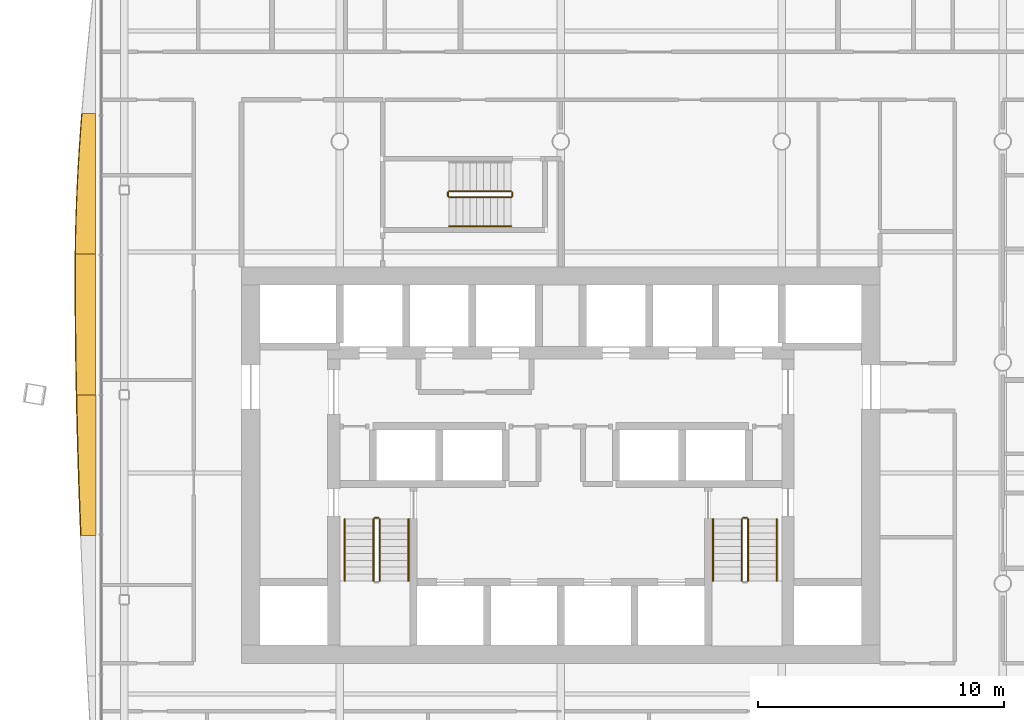
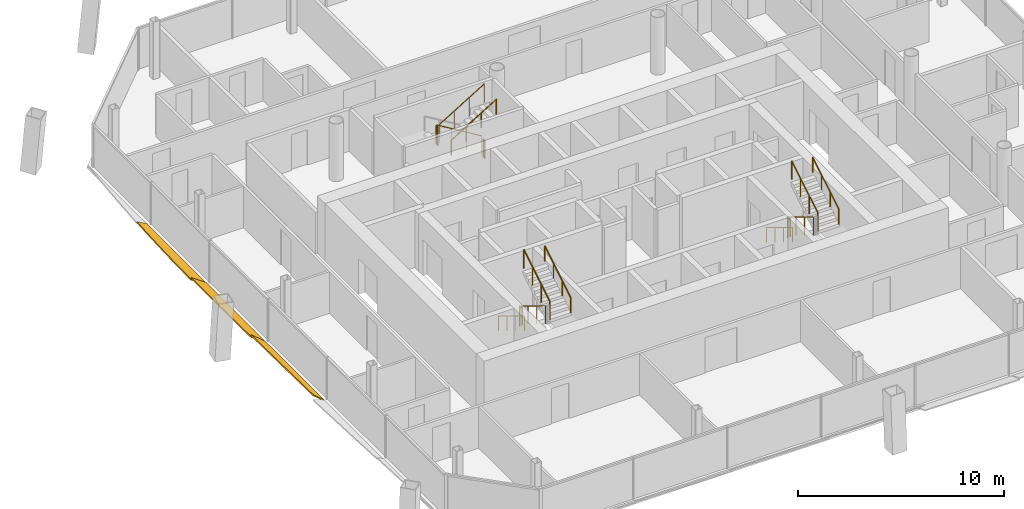
# One storey, part 16 of 17: 15 railings, 3 shading devices.
"""IFC4 building model written with IfcOpenShell, lengths in metres."""

from ifc_helpers import new_model, si_unit, direction, frame, origin, origin_2d, place, context, subcontext, project, spatial, polyline, circle, outline, extrude, material, layer, layer_set, type_object, element, save


model = new_model("IFC4")

# Units and contexts
model_context = context("Model", 3, precision=1e-05, world=origin(), true_north=direction((0.0, 1.0)))
body_context = subcontext(model_context, "Body", "Model", "MODEL_VIEW")
ifc_project = project(units=[si_unit("LENGTHUNIT", "METRE"), si_unit("AREAUNIT", "SQUARE_METRE"), si_unit("VOLUMEUNIT", "CUBIC_METRE"), si_unit("PLANEANGLEUNIT", "RADIAN"), si_unit("MASSUNIT", "GRAM", prefix="KILO")], contexts=[model_context])

# Site, building, storey
site_placement = place(None, origin())
site = spatial("IfcSite", under=ifc_project, at=site_placement, CompositionType="ELEMENT")
building_placement = place(site_placement, origin())
building = spatial("IfcBuilding", under=site, at=building_placement, Name="Tskaro Facet Tower", CompositionType="ELEMENT")
storey_placement = place(building_placement, frame((0.0, 0.0, 158.89990234375)))
storey = spatial("IfcBuildingStorey", under=building, at=storey_placement, Name="L39", CompositionType="ELEMENT", Elevation=158.89990234375)

# Shading devices
ifc_material_1 = material(Name="Bronze anodised aluminium 6063-T6", Category="aluminium")
ifc_layer = layer(ifc_material_1, 0.06005859375, Name="Bronze anodised aluminium 6063-T6")
ifc_layer_set = layer_set([ifc_layer], Name="Bronze anodised aluminium 6063-T6")
shading_device_type = type_object("IfcShadingDeviceType", Name="Bronze sun blade (FN1)", PredefinedType="USERDEFINED", material=ifc_layer_set)
shading_device_1_placement = place(storey_placement, frame((-18.944091796875, 10.13818359375, 0.052001953125), z_axis=(0.500122626066, -5.0054e-08, 0.865954594016), x_axis=(-2.5033e-08, -1.0, -4.3345e-08)))
element("IfcShadingDevice", 1, at=shading_device_1_placement, inside=storey, type_object=shading_device_type, Name="Fin blade west 2", ObjectType="FIN", PredefinedType="USERDEFINED", context=body_context, shape_type="SweptSolid", body=[
    extrude(outline(polyline([(0.0, 0.0), (5.726806640624993, 0.0), (5.7268066406249565, -0.9489847530588518), (5.010986328125071, -0.9362964852345302), (4.2951660156233755, -0.9157350019196093), (3.5793457031304508, -0.8871782028635846), (2.8635253906267746, -0.8514152182095787), (2.147460937497929, -0.8083239477070869), (1.4316406249955553, -0.7584493209982233), (0.7158203125007645, -0.702002752778792), (1.452801429669082e-13, -0.6399847878877203), (0.0, 0.0)])), origin(), (0.0, 0.0, -1.0), 0.06005859375),
])
shading_device_2_placement = place(storey_placement, frame((-18.939697265625, 4.411376953125, 0.04931640625), z_axis=(0.573573836382, -1.1206569e-05, 0.819153864724), x_axis=(-6.427795e-06, -0.999999999937, -9.179904e-06)))
element("IfcShadingDevice", 2, at=shading_device_2_placement, inside=storey, type_object=shading_device_type, Name="Fin blade west 3", ObjectType="FIN", PredefinedType="USERDEFINED", context=body_context, shape_type="SweptSolid", body=[
    extrude(outline(polyline([(0.0, 0.0), (5.726806640265393, 0.0), (5.72680664148532, -0.9467968849085907), (5.010986327934674, -0.9632575397384144), (4.295166013707582, -0.9770780998901404), (3.579345704183801, -0.988518510161897), (2.8635253901731, -0.9972588696939451), (2.147705077055238, -1.003559123284413), (1.4316406264464172, -1.0072792382583942), (0.7788085932217058, -1.0082993024926667), (0.715820311975661, -1.0082993024926667), (-2.629984004945944e-10, -1.0032191018729888), (0.0, 0.0)])), origin(), (0.0, 0.0, -1.0), 0.06005859375),
])
shading_device_3_placement = place(storey_placement, frame((-18.935546875, -1.3154296875, 0.046142578125), z_axis=(0.642766553608, 9.7205e-08, 0.766062110774), x_axis=(6.248e-08, -1.0, 7.4465e-08)))
element("IfcShadingDevice", 3, at=shading_device_3_placement, inside=storey, type_object=shading_device_type, Name="Fin blade west 4", ObjectType="FIN", PredefinedType="USERDEFINED", context=body_context, shape_type="SweptSolid", body=[
    extrude(outline(polyline([(0.0, 0.0), (5.726806640624973, -3.7896827399719473e-23), (5.726806640633105, -0.7831052831324259), (5.010986328124181, -0.819678215721618), (4.29516601561588, -0.854344359875097), (3.5793457031205316, -0.8865727363997096), (2.863525390622881, -0.9165503721779689), (2.147705078122928, -0.9442772672098748), (1.4318847656359268, -0.9695663946129144), (0.7158203125005176, -0.9921039035308334), (5.9862387692463395e-12, -1.0125475971305264), (0.0, 0.0)])), origin(), (0.0, 0.0, -1.0), 0.06005859375),
])

# Railings
ifc_material_2 = material(Name="Stainless steel", Category="steel")
railing_type_1 = type_object("IfcRailingType", Name="RL-GUARD-1100", PredefinedType="GUARDRAIL", material=ifc_material_2)
railing_1_placement = place(storey_placement, frame((-7.625, -6.375, 0.170166015625)))
element("IfcRailing", 4, at=railing_1_placement, inside=storey, type_object=railing_type_1, Name="L39 ST-1 stair guard 1", PredefinedType="GUARDRAIL", context=body_context, shape_type="SweptSolid", body=[
    extrude(circle(Radius=0.02392578125, at=origin_2d()), frame((0.0, 0.0, 1.076171875), z_axis=(0.0, -0.85478489116, 0.518982456201), x_axis=(1.0, 0.0, 0.0)), (0.0, 0.0, 1.0), 2.9482421875),
    extrude(circle(Radius=0.02099609375, at=origin_2d()), origin(), (0.0, 0.0, 1.0), 1.052001953125),
    extrude(circle(Radius=0.02099609375, at=origin_2d()), frame((0.0, -0.840087890625, 0.510009765625)), (0.0, 0.0, 1.0), 1.052001953125),
    extrude(circle(Radius=0.02099609375, at=origin_2d()), frame((0.0, -1.679931640625, 1.02001953125)), (0.0, 0.0, 1.0), 1.052001953125),
    extrude(circle(Radius=0.02099609375, at=origin_2d()), frame((0.0, -2.52001953125, 1.530029296875)), (0.0, 0.0, 1.0), 1.052001953125),
])
railing_2_placement = place(storey_placement, frame((-7.375, -8.89501953125, 1.8701171875)))
element("IfcRailing", 5, at=railing_2_placement, inside=storey, type_object=railing_type_1, Name="L39 ST-1 stair guard 3", PredefinedType="GUARDRAIL", context=body_context, shape_type="SweptSolid", body=[
    extrude(circle(Radius=0.02392578125, at=origin_2d()), frame((0.0, 0.0, 1.076171875), z_axis=(0.0, 0.85478489116, 0.518982456201), x_axis=(-1.0, 0.0, 0.0)), (0.0, 0.0, 1.0), 2.9482421875),
    extrude(circle(Radius=0.02099609375, at=origin_2d()), origin(), (0.0, 0.0, 1.0), 1.052001953125),
    extrude(circle(Radius=0.02099609375, at=origin_2d()), frame((0.0, 0.840087890625, 0.510009765625)), (0.0, 0.0, 1.0), 1.052001953125),
    extrude(circle(Radius=0.02099609375, at=origin_2d()), frame((0.0, 1.679931640625, 1.02001953125)), (0.0, 0.0, 1.0), 1.052001953125),
    extrude(circle(Radius=0.02099609375, at=origin_2d()), frame((0.0, 2.52001953125, 1.530029296875)), (0.0, 0.0, 1.0), 1.052001953125),
])
railing_3_placement = place(storey_placement, frame((-7.574951171875, -6.324951171875, 0.0)))
element("IfcRailing", 6, at=railing_3_placement, inside=storey, type_object=railing_type_1, Name="L39 ST-1 stair guard 4", PredefinedType="GUARDRAIL", context=body_context, shape_type="SweptSolid", body=[
    extrude(circle(Radius=0.02392578125, at=origin_2d()), frame((0.0, 0.0, 1.076171875), z_axis=(1.0, 0.0, 0.0), x_axis=(0.0, 1.0, 0.0)), (0.0, 0.0, 1.0), 0.14990234375),
    extrude(circle(Radius=0.02099609375, at=origin_2d()), origin(), (0.0, 0.0, 1.0), 1.052001953125),
    extrude(circle(Radius=0.02099609375, at=origin_2d()), frame((0.14990234375, 0.0, 0.0)), (0.0, 0.0, 1.0), 1.052001953125),
])
railing_4_placement = place(storey_placement, frame((7.375, -6.375, 0.170166015625)))
element("IfcRailing", 7, at=railing_4_placement, inside=storey, type_object=railing_type_1, Name="L39 ST-2 stair guard 1", PredefinedType="GUARDRAIL", context=body_context, shape_type="SweptSolid", body=[
    extrude(circle(Radius=0.02392578125, at=origin_2d()), frame((0.0, 0.0, 1.076171875), z_axis=(0.0, -0.85478489116, 0.518982456201), x_axis=(1.0, 0.0, 0.0)), (0.0, 0.0, 1.0), 2.9482421875),
    extrude(circle(Radius=0.02099609375, at=origin_2d()), origin(), (0.0, 0.0, 1.0), 1.052001953125),
    extrude(circle(Radius=0.02099609375, at=origin_2d()), frame((0.0, -0.840087890625, 0.510009765625)), (0.0, 0.0, 1.0), 1.052001953125),
    extrude(circle(Radius=0.02099609375, at=origin_2d()), frame((0.0, -1.679931640625, 1.02001953125)), (0.0, 0.0, 1.0), 1.052001953125),
    extrude(circle(Radius=0.02099609375, at=origin_2d()), frame((0.0, -2.52001953125, 1.530029296875)), (0.0, 0.0, 1.0), 1.052001953125),
])
railing_5_placement = place(storey_placement, frame((7.625, -8.89501953125, 1.8701171875)))
element("IfcRailing", 8, at=railing_5_placement, inside=storey, type_object=railing_type_1, Name="L39 ST-2 stair guard 3", PredefinedType="GUARDRAIL", context=body_context, shape_type="SweptSolid", body=[
    extrude(circle(Radius=0.02392578125, at=origin_2d()), frame((0.0, 0.0, 1.076171875), z_axis=(0.0, 0.85478489116, 0.518982456201), x_axis=(-1.0, 0.0, 0.0)), (0.0, 0.0, 1.0), 2.9482421875),
    extrude(circle(Radius=0.02099609375, at=origin_2d()), origin(), (0.0, 0.0, 1.0), 1.052001953125),
    extrude(circle(Radius=0.02099609375, at=origin_2d()), frame((0.0, 0.840087890625, 0.510009765625)), (0.0, 0.0, 1.0), 1.052001953125),
    extrude(circle(Radius=0.02099609375, at=origin_2d()), frame((0.0, 1.679931640625, 1.02001953125)), (0.0, 0.0, 1.0), 1.052001953125),
    extrude(circle(Radius=0.02099609375, at=origin_2d()), frame((0.0, 2.52001953125, 1.530029296875)), (0.0, 0.0, 1.0), 1.052001953125),
])
railing_6_placement = place(storey_placement, frame((7.425048828125, -6.324951171875, 0.0)))
element("IfcRailing", 9, at=railing_6_placement, inside=storey, type_object=railing_type_1, Name="L39 ST-2 stair guard 4", PredefinedType="GUARDRAIL", context=body_context, shape_type="SweptSolid", body=[
    extrude(circle(Radius=0.02392578125, at=origin_2d()), frame((0.0, 0.0, 1.076171875), z_axis=(1.0, 0.0, 0.0), x_axis=(0.0, 1.0, 0.0)), (0.0, 0.0, 1.0), 0.14990234375),
    extrude(circle(Radius=0.02099609375, at=origin_2d()), origin(), (0.0, 0.0, 1.0), 1.052001953125),
    extrude(circle(Radius=0.02099609375, at=origin_2d()), frame((0.14990234375, 0.0, 0.0)), (0.0, 0.0, 1.0), 1.052001953125),
])
railing_7_placement = place(storey_placement, frame((-2.02490234375, 6.97509765625, 0.170166015625)))
element("IfcRailing", 10, at=railing_7_placement, inside=storey, type_object=railing_type_1, Name="L39 ST-3 stair guard 1", PredefinedType="GUARDRAIL", context=body_context, shape_type="SweptSolid", body=[
    extrude(circle(Radius=0.02392578125, at=origin_2d()), frame((0.0, 0.0, 1.076171875), z_axis=(-0.85478489116, 0.0, 0.518982456201), x_axis=(0.0, -1.0, 0.0)), (0.0, 0.0, 1.0), 2.9482421875),
    extrude(circle(Radius=0.02099609375, at=origin_2d()), origin(), (0.0, 0.0, 1.0), 1.052001953125),
    extrude(circle(Radius=0.02099609375, at=origin_2d()), frame((-0.840087890625, 0.0, 0.510009765625)), (0.0, 0.0, 1.0), 1.052001953125),
    extrude(circle(Radius=0.02099609375, at=origin_2d()), frame((-1.679931640625, 0.0, 1.02001953125)), (0.0, 0.0, 1.0), 1.052001953125),
    extrude(circle(Radius=0.02099609375, at=origin_2d()), frame((-2.52001953125, 0.0, 1.530029296875)), (0.0, 0.0, 1.0), 1.052001953125),
])
railing_8_placement = place(storey_placement, frame((-4.594970703125, 6.925048828125, 1.7001953125)))
element("IfcRailing", 11, at=railing_8_placement, inside=storey, type_object=railing_type_1, Name="L39 ST-3 stair guard 2", PredefinedType="GUARDRAIL", context=body_context, shape_type="SweptSolid", body=[
    extrude(circle(Radius=0.02392578125, at=origin_2d()), frame((0.0, 0.0, 1.076171875), z_axis=(0.0, -1.0, 0.0), x_axis=(1.0, 0.0, 0.0)), (0.0, 0.0, 1.0), 0.150146484375),
    extrude(circle(Radius=0.02099609375, at=origin_2d()), origin(), (0.0, 0.0, 1.0), 1.052001953125),
    extrude(circle(Radius=0.02099609375, at=origin_2d()), frame((0.0, -0.150146484375, 0.0)), (0.0, 0.0, 1.0), 1.052001953125),
])
railing_9_placement = place(storey_placement, frame((-4.544921875, 6.72509765625, 1.8701171875)))
element("IfcRailing", 12, at=railing_9_placement, inside=storey, type_object=railing_type_1, Name="L39 ST-3 stair guard 3", PredefinedType="GUARDRAIL", context=body_context, shape_type="SweptSolid", body=[
    extrude(circle(Radius=0.02392578125, at=origin_2d()), frame((0.0, 0.0, 1.076171875), z_axis=(0.85478489116, 0.0, 0.518982456201), x_axis=(0.0, 1.0, 0.0)), (0.0, 0.0, 1.0), 2.9482421875),
    extrude(circle(Radius=0.02099609375, at=origin_2d()), origin(), (0.0, 0.0, 1.0), 1.052001953125),
    extrude(circle(Radius=0.02099609375, at=origin_2d()), frame((0.840087890625, 0.0, 0.510009765625)), (0.0, 0.0, 1.0), 1.052001953125),
    extrude(circle(Radius=0.02099609375, at=origin_2d()), frame((1.679931640625, 0.0, 1.02001953125)), (0.0, 0.0, 1.0), 1.052001953125),
    extrude(circle(Radius=0.02099609375, at=origin_2d()), frame((2.52001953125, 0.0, 1.530029296875)), (0.0, 0.0, 1.0), 1.052001953125),
])
railing_10_placement = place(storey_placement, frame((-1.97509765625, 6.925048828125, 0.0)))
element("IfcRailing", 13, at=railing_10_placement, inside=storey, type_object=railing_type_1, Name="L39 ST-3 stair guard 4", PredefinedType="GUARDRAIL", context=body_context, shape_type="SweptSolid", body=[
    extrude(circle(Radius=0.02392578125, at=origin_2d()), frame((0.0, 0.0, 1.076171875), z_axis=(0.0, -1.0, 0.0), x_axis=(1.0, 0.0, 0.0)), (0.0, 0.0, 1.0), 0.150146484375),
    extrude(circle(Radius=0.02099609375, at=origin_2d()), origin(), (0.0, 0.0, 1.0), 1.052001953125),
    extrude(circle(Radius=0.02099609375, at=origin_2d()), frame((0.0, -0.150146484375, 0.0)), (0.0, 0.0, 1.0), 1.052001953125),
])
railing_type_2 = type_object("IfcRailingType", Name="RL-HANDRAIL-900", PredefinedType="HANDRAIL", material=ifc_material_2)
railing_11_placement = place(storey_placement, frame((-8.800048828125, -6.375, 0.170166015625)))
element("IfcRailing", 14, at=railing_11_placement, inside=storey, type_object=railing_type_2, Name="L39 ST-1 stair handrail 1", PredefinedType="HANDRAIL", context=body_context, shape_type="SweptSolid", body=[
    extrude(circle(Radius=0.02392578125, at=origin_2d()), frame((0.0, 0.0, 0.8759765625), z_axis=(0.0, -0.85478489116, 0.518982456201), x_axis=(1.0, 0.0, 0.0)), (0.0, 0.0, 1.0), 2.9482421875),
    extrude(circle(Radius=0.02099609375, at=origin_2d()), origin(), (0.0, 0.0, 1.0), 0.851806640625),
    extrude(circle(Radius=0.02099609375, at=origin_2d()), frame((0.0, -0.840087890625, 0.510009765625)), (0.0, 0.0, 1.0), 0.851806640625),
    extrude(circle(Radius=0.02099609375, at=origin_2d()), frame((0.0, -1.679931640625, 1.02001953125)), (0.0, 0.0, 1.0), 0.851806640625),
    extrude(circle(Radius=0.02099609375, at=origin_2d()), frame((0.0, -2.52001953125, 1.530029296875)), (0.0, 0.0, 1.0), 0.851806640625),
])
railing_12_placement = place(storey_placement, frame((-6.199951171875, -8.89501953125, 1.8701171875)))
element("IfcRailing", 15, at=railing_12_placement, inside=storey, type_object=railing_type_2, Name="L39 ST-1 stair handrail 2", PredefinedType="HANDRAIL", context=body_context, shape_type="SweptSolid", body=[
    extrude(circle(Radius=0.02392578125, at=origin_2d()), frame((0.0, 0.0, 0.8759765625), z_axis=(0.0, 0.85478489116, 0.518982456201), x_axis=(-1.0, 0.0, 0.0)), (0.0, 0.0, 1.0), 2.9482421875),
    extrude(circle(Radius=0.02099609375, at=origin_2d()), origin(), (0.0, 0.0, 1.0), 0.851806640625),
    extrude(circle(Radius=0.02099609375, at=origin_2d()), frame((0.0, 0.840087890625, 0.510009765625)), (0.0, 0.0, 1.0), 0.851806640625),
    extrude(circle(Radius=0.02099609375, at=origin_2d()), frame((0.0, 1.679931640625, 1.02001953125)), (0.0, 0.0, 1.0), 0.851806640625),
    extrude(circle(Radius=0.02099609375, at=origin_2d()), frame((0.0, 2.52001953125, 1.530029296875)), (0.0, 0.0, 1.0), 0.851806640625),
])
railing_13_placement = place(storey_placement, frame((6.199951171875, -6.375, 0.170166015625)))
element("IfcRailing", 16, at=railing_13_placement, inside=storey, type_object=railing_type_2, Name="L39 ST-2 stair handrail 1", PredefinedType="HANDRAIL", context=body_context, shape_type="SweptSolid", body=[
    extrude(circle(Radius=0.02392578125, at=origin_2d()), frame((0.0, 0.0, 0.8759765625), z_axis=(0.0, -0.85478489116, 0.518982456201), x_axis=(1.0, 0.0, 0.0)), (0.0, 0.0, 1.0), 2.9482421875),
    extrude(circle(Radius=0.02099609375, at=origin_2d()), origin(), (0.0, 0.0, 1.0), 0.851806640625),
    extrude(circle(Radius=0.02099609375, at=origin_2d()), frame((0.0, -0.840087890625, 0.510009765625)), (0.0, 0.0, 1.0), 0.851806640625),
    extrude(circle(Radius=0.02099609375, at=origin_2d()), frame((0.0, -1.679931640625, 1.02001953125)), (0.0, 0.0, 1.0), 0.851806640625),
    extrude(circle(Radius=0.02099609375, at=origin_2d()), frame((0.0, -2.52001953125, 1.530029296875)), (0.0, 0.0, 1.0), 0.851806640625),
])
railing_14_placement = place(storey_placement, frame((8.800048828125, -8.89501953125, 1.8701171875)))
element("IfcRailing", 17, at=railing_14_placement, inside=storey, type_object=railing_type_2, Name="L39 ST-2 stair handrail 2", PredefinedType="HANDRAIL", context=body_context, shape_type="SweptSolid", body=[
    extrude(circle(Radius=0.02392578125, at=origin_2d()), frame((0.0, 0.0, 0.8759765625), z_axis=(0.0, 0.85478489116, 0.518982456201), x_axis=(-1.0, 0.0, 0.0)), (0.0, 0.0, 1.0), 2.9482421875),
    extrude(circle(Radius=0.02099609375, at=origin_2d()), origin(), (0.0, 0.0, 1.0), 0.851806640625),
    extrude(circle(Radius=0.02099609375, at=origin_2d()), frame((0.0, 0.840087890625, 0.510009765625)), (0.0, 0.0, 1.0), 0.851806640625),
    extrude(circle(Radius=0.02099609375, at=origin_2d()), frame((0.0, 1.679931640625, 1.02001953125)), (0.0, 0.0, 1.0), 0.851806640625),
    extrude(circle(Radius=0.02099609375, at=origin_2d()), frame((0.0, 2.52001953125, 1.530029296875)), (0.0, 0.0, 1.0), 0.851806640625),
])
railing_15_placement = place(storey_placement, frame((-4.544921875, 5.550048828125, 1.8701171875)))
element("IfcRailing", 18, at=railing_15_placement, inside=storey, type_object=railing_type_2, Name="L39 ST-3 stair handrail 2", PredefinedType="HANDRAIL", context=body_context, shape_type="SweptSolid", body=[
    extrude(circle(Radius=0.02392578125, at=origin_2d()), frame((0.0, 0.0, 0.8759765625), z_axis=(0.85478489116, 0.0, 0.518982456201), x_axis=(0.0, 1.0, 0.0)), (0.0, 0.0, 1.0), 2.9482421875),
    extrude(circle(Radius=0.02099609375, at=origin_2d()), origin(), (0.0, 0.0, 1.0), 0.851806640625),
    extrude(circle(Radius=0.02099609375, at=origin_2d()), frame((0.840087890625, 0.0, 0.510009765625)), (0.0, 0.0, 1.0), 0.851806640625),
    extrude(circle(Radius=0.02099609375, at=origin_2d()), frame((1.679931640625, 0.0, 1.02001953125)), (0.0, 0.0, 1.0), 0.851806640625),
    extrude(circle(Radius=0.02099609375, at=origin_2d()), frame((2.52001953125, 0.0, 1.530029296875)), (0.0, 0.0, 1.0), 0.851806640625),
])

save(model, "model.ifc")
